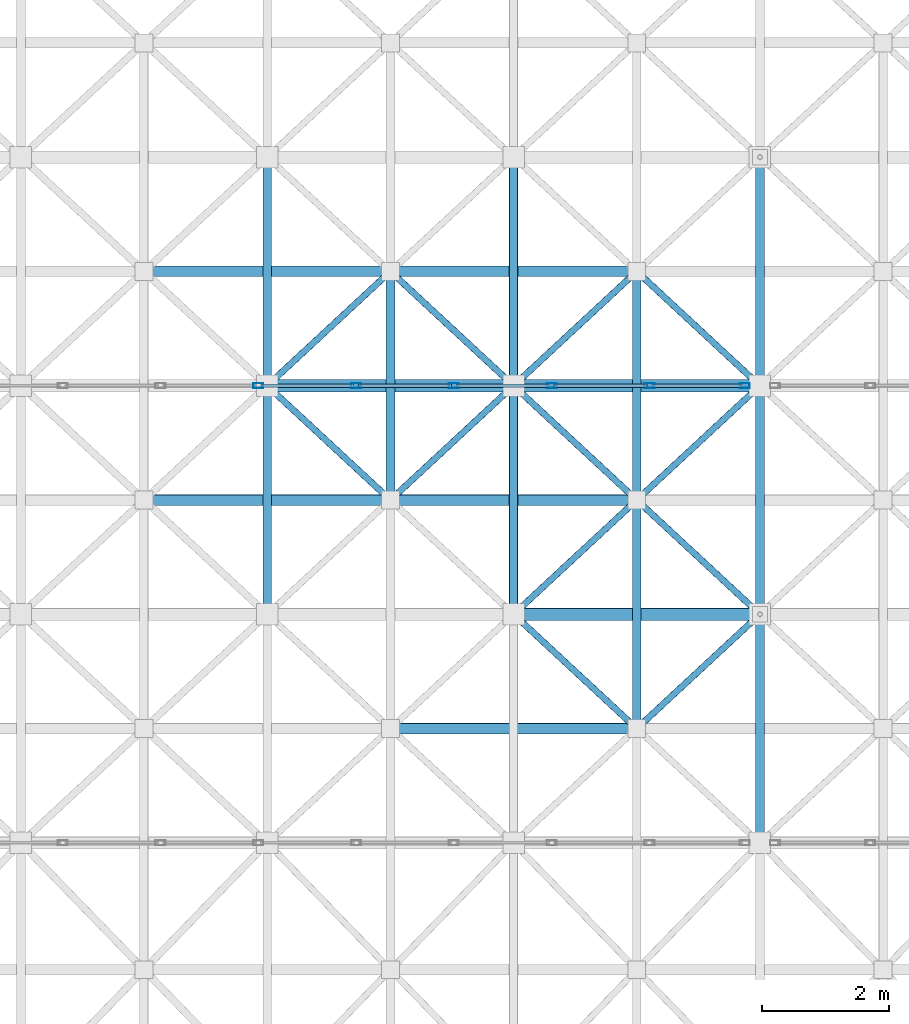
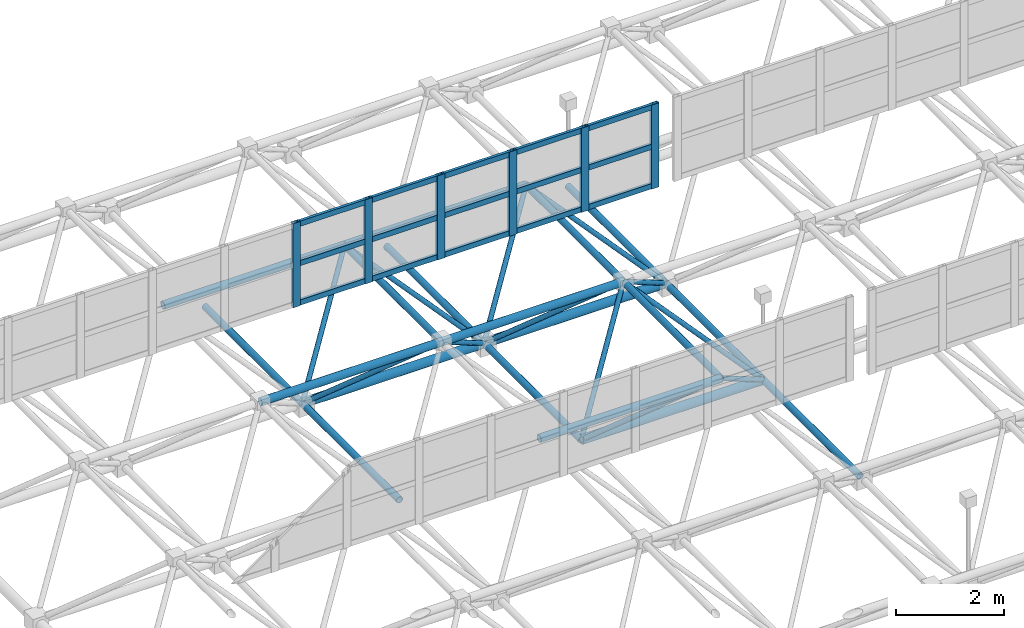
# One storey, part 93 of 195: 51 members, 1 element without a shape of its own.
"""IFC4 building model written with IfcOpenShell, lengths in metres."""

from ifc_helpers import new_model, si_unit, direction, frame, origin, origin_2d, place, context, subcontext, project, spatial, hollow_rectangle, hollow_circle, extrude, material, material_profile, profile_set, type_object, element, aggregate, save


model = new_model("IFC4")

# Units and contexts
model_context = context("Model", 3, precision=1e-05, world=origin(), true_north=direction((0.0, 1.0)))
body_context = subcontext(model_context, "Body", "Model", "MODEL_VIEW")
ifc_project = project(units=[si_unit("LENGTHUNIT", "METRE"), si_unit("AREAUNIT", "SQUARE_METRE"), si_unit("VOLUMEUNIT", "CUBIC_METRE"), si_unit("PLANEANGLEUNIT", "RADIAN"), si_unit("MASSUNIT", "GRAM", prefix="KILO")], contexts=[model_context])

# Site, building, storey
site_placement = place(None, origin())
site = spatial("IfcSite", under=ifc_project, at=site_placement, CompositionType="ELEMENT")
building_placement = place(site_placement, origin())
building = spatial("IfcBuilding", under=site, at=building_placement, Name="Kharva Crest Polytechnic", CompositionType="ELEMENT")
storey_placement = place(building_placement, frame((0.0, 0.0, 9.0)))
storey = spatial("IfcBuildingStorey", under=building, at=storey_placement, Name="L02", CompositionType="ELEMENT", Elevation=9.0)

# Curtain wall, members
ifc_material_1 = material(Name="Tempered insulated glass", Category="glass")
curtain_wall_type = type_object("IfcCurtainWallType", Name="CW-SYS-NORTHLIGHT", PredefinedType="USERDEFINED", material=ifc_material_1)
curtain_wall_placement = place(storey_placement, origin())
curtain_wall = element("IfcCurtainWall", 1, at=curtain_wall_placement, inside=storey, type_object=curtain_wall_type, Name="L02 Glazed Curtain Wall CW-199", ObjectType="CURTAIN WALL", PredefinedType="USERDEFINED")
ifc_material_2 = material(Name="Steel S355", Category="steel")
ifc_material_profile_1 = material_profile(ifc_material_2, hollow_rectangle(XDim=0.080078125, YDim=0.159912109375, WallThickness=0.0048828125, at=origin_2d()), Name="RHS 160X80X5.0")
ifc_profile_set_1 = profile_set([ifc_material_profile_1], Name="Steel S355")
member_type_1 = type_object("IfcMemberType", Name="CWM-RHS160X80", PredefinedType="MULLION", material=ifc_profile_set_1)
member_1_placement = place(storey_placement, frame((8.10009765625, 86.0, 2.85009765625), z_axis=(0.0, 0.0, 1.0), x_axis=(0.0, 1.0, 0.0)))
member_1 = element("IfcMember", 2, at=member_1_placement, type_object=member_type_1, Name="CW-199 mullion 6", PredefinedType="MULLION", context=body_context, shape_type="SweptSolid", body=[
    extrude(hollow_rectangle(XDim=0.080078125, YDim=0.159912109375, WallThickness=0.0048828125, at=origin_2d()), origin(), (0.0, 0.0, 1.0), 1.89990234375),
])
member_2_placement = place(storey_placement, frame((9.639892578125, 86.0, 2.85009765625), z_axis=(0.0, 0.0, 1.0), x_axis=(0.0, 1.0, 0.0)))
member_2 = element("IfcMember", 3, at=member_2_placement, type_object=member_type_1, Name="CW-199 mullion 7", PredefinedType="MULLION", context=body_context, shape_type="SweptSolid", body=[
    extrude(hollow_rectangle(XDim=0.080078125, YDim=0.159912109375, WallThickness=0.0048828125, at=origin_2d()), origin(), (0.0, 0.0, 1.0), 1.89990234375),
])
member_3_placement = place(storey_placement, frame((11.179931640625, 86.0, 2.85009765625), z_axis=(0.0, 0.0, 1.0), x_axis=(0.0, 1.0, 0.0)))
member_3 = element("IfcMember", 4, at=member_3_placement, type_object=member_type_1, Name="CW-199 mullion 8", PredefinedType="MULLION", context=body_context, shape_type="SweptSolid", body=[
    extrude(hollow_rectangle(XDim=0.080078125, YDim=0.159912109375, WallThickness=0.0048828125, at=origin_2d()), origin(), (0.0, 0.0, 1.0), 1.89990234375),
])
member_4_placement = place(storey_placement, frame((12.719970703125, 86.0, 2.85009765625), z_axis=(0.0, 0.0, 1.0), x_axis=(0.0, 1.0, 0.0)))
member_4 = element("IfcMember", 5, at=member_4_placement, type_object=member_type_1, Name="CW-199 mullion 9", PredefinedType="MULLION", context=body_context, shape_type="SweptSolid", body=[
    extrude(hollow_rectangle(XDim=0.080078125, YDim=0.159912109375, WallThickness=0.0048828125, at=origin_2d()), origin(), (0.0, 0.0, 1.0), 1.89990234375),
])
member_5_placement = place(storey_placement, frame((14.260009765625, 86.0, 2.85009765625), z_axis=(0.0, 0.0, 1.0), x_axis=(0.0, 1.0, 0.0)))
member_5 = element("IfcMember", 6, at=member_5_placement, type_object=member_type_1, Name="CW-199 mullion 10", PredefinedType="MULLION", context=body_context, shape_type="SweptSolid", body=[
    extrude(hollow_rectangle(XDim=0.080078125, YDim=0.159912109375, WallThickness=0.0048828125, at=origin_2d()), origin(), (0.0, 0.0, 1.0), 1.89990234375),
])
member_6_placement = place(storey_placement, frame((15.760009765625, 86.0, 2.85009765625), z_axis=(0.0, 0.0, 1.0), x_axis=(0.0, 1.0, 0.0)))
member_6 = element("IfcMember", 7, at=member_6_placement, type_object=member_type_1, Name="CW-199 mullion 11", PredefinedType="MULLION", context=body_context, shape_type="SweptSolid", body=[
    extrude(hollow_rectangle(XDim=0.080078125, YDim=0.159912109375, WallThickness=0.0048828125, at=origin_2d()), origin(), (0.0, 0.0, 1.0), 1.89990234375),
])
ifc_material_profile_2 = material_profile(ifc_material_2, hollow_rectangle(XDim=0.06005859375, YDim=0.1201171875, WallThickness=0.00390625, at=origin_2d()), Name="RHS 120X60X4.0")
ifc_profile_set_2 = profile_set([ifc_material_profile_2], Name="Steel S355")
member_type_2 = type_object("IfcMemberType", Name="CWT-RHS120X60", PredefinedType="USERDEFINED", material=ifc_profile_set_2)
member_7_placement = place(storey_placement, frame((8.139892578125, 86.0, 2.909912109375), z_axis=(1.0, 0.0, 0.0), x_axis=(0.0, 1.0, 0.0)))
member_7 = element("IfcMember", 8, at=member_7_placement, type_object=member_type_2, Name="CW-199 transom 6.1", ObjectType="TRANSOM", PredefinedType="USERDEFINED", context=body_context, shape_type="SweptSolid", body=[
    extrude(hollow_rectangle(XDim=0.06005859375, YDim=0.1201171875, WallThickness=0.00390625, at=origin_2d()), origin(), (0.0, 0.0, 1.0), 1.460205078125),
])
member_8_placement = place(storey_placement, frame((8.139892578125, 86.0, 3.800048828125), z_axis=(1.0, 0.0, 0.0), x_axis=(0.0, 1.0, 0.0)))
member_8 = element("IfcMember", 9, at=member_8_placement, type_object=member_type_2, Name="CW-199 transom 6.2", ObjectType="TRANSOM", PredefinedType="USERDEFINED", context=body_context, shape_type="SweptSolid", body=[
    extrude(hollow_rectangle(XDim=0.06005859375, YDim=0.1201171875, WallThickness=0.00390625, at=origin_2d()), origin(), (0.0, 0.0, 1.0), 1.460205078125),
])
member_9_placement = place(storey_placement, frame((8.139892578125, 86.0, 4.68994140625), z_axis=(1.0, 0.0, 0.0), x_axis=(0.0, 1.0, 0.0)))
member_9 = element("IfcMember", 10, at=member_9_placement, type_object=member_type_2, Name="CW-199 transom 6.3", ObjectType="TRANSOM", PredefinedType="USERDEFINED", context=body_context, shape_type="SweptSolid", body=[
    extrude(hollow_rectangle(XDim=0.06005859375, YDim=0.1201171875, WallThickness=0.00390625, at=origin_2d()), origin(), (0.0, 0.0, 1.0), 1.460205078125),
])
member_10_placement = place(storey_placement, frame((9.679931640625, 86.0, 2.909912109375), z_axis=(1.0, 0.0, 0.0), x_axis=(0.0, 1.0, 0.0)))
member_10 = element("IfcMember", 11, at=member_10_placement, type_object=member_type_2, Name="CW-199 transom 7.1", ObjectType="TRANSOM", PredefinedType="USERDEFINED", context=body_context, shape_type="SweptSolid", body=[
    extrude(hollow_rectangle(XDim=0.06005859375, YDim=0.1201171875, WallThickness=0.00390625, at=origin_2d()), origin(), (0.0, 0.0, 1.0), 1.4599609375),
])
member_11_placement = place(storey_placement, frame((9.679931640625, 86.0, 3.800048828125), z_axis=(1.0, 0.0, 0.0), x_axis=(0.0, 1.0, 0.0)))
member_11 = element("IfcMember", 12, at=member_11_placement, type_object=member_type_2, Name="CW-199 transom 7.2", ObjectType="TRANSOM", PredefinedType="USERDEFINED", context=body_context, shape_type="SweptSolid", body=[
    extrude(hollow_rectangle(XDim=0.06005859375, YDim=0.1201171875, WallThickness=0.00390625, at=origin_2d()), origin(), (0.0, 0.0, 1.0), 1.4599609375),
])
member_12_placement = place(storey_placement, frame((9.679931640625, 86.0, 4.68994140625), z_axis=(1.0, 0.0, 0.0), x_axis=(0.0, 1.0, 0.0)))
member_12 = element("IfcMember", 13, at=member_12_placement, type_object=member_type_2, Name="CW-199 transom 7.3", ObjectType="TRANSOM", PredefinedType="USERDEFINED", context=body_context, shape_type="SweptSolid", body=[
    extrude(hollow_rectangle(XDim=0.06005859375, YDim=0.1201171875, WallThickness=0.00390625, at=origin_2d()), origin(), (0.0, 0.0, 1.0), 1.4599609375),
])
member_13_placement = place(storey_placement, frame((11.219970703125, 86.0, 2.909912109375), z_axis=(1.0, 0.0, 0.0), x_axis=(0.0, 1.0, 0.0)))
member_13 = element("IfcMember", 14, at=member_13_placement, type_object=member_type_2, Name="CW-199 transom 8.1", ObjectType="TRANSOM", PredefinedType="USERDEFINED", context=body_context, shape_type="SweptSolid", body=[
    extrude(hollow_rectangle(XDim=0.06005859375, YDim=0.1201171875, WallThickness=0.00390625, at=origin_2d()), origin(), (0.0, 0.0, 1.0), 1.4599609375),
])
member_14_placement = place(storey_placement, frame((11.219970703125, 86.0, 3.800048828125), z_axis=(1.0, 0.0, 0.0), x_axis=(0.0, 1.0, 0.0)))
member_14 = element("IfcMember", 15, at=member_14_placement, type_object=member_type_2, Name="CW-199 transom 8.2", ObjectType="TRANSOM", PredefinedType="USERDEFINED", context=body_context, shape_type="SweptSolid", body=[
    extrude(hollow_rectangle(XDim=0.06005859375, YDim=0.1201171875, WallThickness=0.00390625, at=origin_2d()), origin(), (0.0, 0.0, 1.0), 1.4599609375),
])
member_15_placement = place(storey_placement, frame((11.219970703125, 86.0, 4.68994140625), z_axis=(1.0, 0.0, 0.0), x_axis=(0.0, 1.0, 0.0)))
member_15 = element("IfcMember", 16, at=member_15_placement, type_object=member_type_2, Name="CW-199 transom 8.3", ObjectType="TRANSOM", PredefinedType="USERDEFINED", context=body_context, shape_type="SweptSolid", body=[
    extrude(hollow_rectangle(XDim=0.06005859375, YDim=0.1201171875, WallThickness=0.00390625, at=origin_2d()), origin(), (0.0, 0.0, 1.0), 1.4599609375),
])
member_16_placement = place(storey_placement, frame((12.760009765625, 86.0, 2.909912109375), z_axis=(1.0, 0.0, 0.0), x_axis=(0.0, 1.0, 0.0)))
member_16 = element("IfcMember", 17, at=member_16_placement, type_object=member_type_2, Name="CW-199 transom 9.1", ObjectType="TRANSOM", PredefinedType="USERDEFINED", context=body_context, shape_type="SweptSolid", body=[
    extrude(hollow_rectangle(XDim=0.06005859375, YDim=0.1201171875, WallThickness=0.00390625, at=origin_2d()), origin(), (0.0, 0.0, 1.0), 1.4599609375),
])
member_17_placement = place(storey_placement, frame((12.760009765625, 86.0, 3.800048828125), z_axis=(1.0, 0.0, 0.0), x_axis=(0.0, 1.0, 0.0)))
member_17 = element("IfcMember", 18, at=member_17_placement, type_object=member_type_2, Name="CW-199 transom 9.2", ObjectType="TRANSOM", PredefinedType="USERDEFINED", context=body_context, shape_type="SweptSolid", body=[
    extrude(hollow_rectangle(XDim=0.06005859375, YDim=0.1201171875, WallThickness=0.00390625, at=origin_2d()), origin(), (0.0, 0.0, 1.0), 1.4599609375),
])
member_18_placement = place(storey_placement, frame((12.760009765625, 86.0, 4.68994140625), z_axis=(1.0, 0.0, 0.0), x_axis=(0.0, 1.0, 0.0)))
member_18 = element("IfcMember", 19, at=member_18_placement, type_object=member_type_2, Name="CW-199 transom 9.3", ObjectType="TRANSOM", PredefinedType="USERDEFINED", context=body_context, shape_type="SweptSolid", body=[
    extrude(hollow_rectangle(XDim=0.06005859375, YDim=0.1201171875, WallThickness=0.00390625, at=origin_2d()), origin(), (0.0, 0.0, 1.0), 1.4599609375),
])
member_19_placement = place(storey_placement, frame((14.300048828125, 86.0, 2.909912109375), z_axis=(1.0, 0.0, 0.0), x_axis=(0.0, 1.0, 0.0)))
member_19 = element("IfcMember", 20, at=member_19_placement, type_object=member_type_2, Name="CW-199 transom 10.1", ObjectType="TRANSOM", PredefinedType="USERDEFINED", context=body_context, shape_type="SweptSolid", body=[
    extrude(hollow_rectangle(XDim=0.06005859375, YDim=0.1201171875, WallThickness=0.00390625, at=origin_2d()), origin(), (0.0, 0.0, 1.0), 1.419921875),
])
member_20_placement = place(storey_placement, frame((14.300048828125, 86.0, 3.800048828125), z_axis=(1.0, 0.0, 0.0), x_axis=(0.0, 1.0, 0.0)))
member_20 = element("IfcMember", 21, at=member_20_placement, type_object=member_type_2, Name="CW-199 transom 10.2", ObjectType="TRANSOM", PredefinedType="USERDEFINED", context=body_context, shape_type="SweptSolid", body=[
    extrude(hollow_rectangle(XDim=0.06005859375, YDim=0.1201171875, WallThickness=0.00390625, at=origin_2d()), origin(), (0.0, 0.0, 1.0), 1.419921875),
])
member_21_placement = place(storey_placement, frame((14.300048828125, 86.0, 4.68994140625), z_axis=(1.0, 0.0, 0.0), x_axis=(0.0, 1.0, 0.0)))
member_21 = element("IfcMember", 22, at=member_21_placement, type_object=member_type_2, Name="CW-199 transom 10.3", ObjectType="TRANSOM", PredefinedType="USERDEFINED", context=body_context, shape_type="SweptSolid", body=[
    extrude(hollow_rectangle(XDim=0.06005859375, YDim=0.1201171875, WallThickness=0.00390625, at=origin_2d()), origin(), (0.0, 0.0, 1.0), 1.419921875),
])
aggregate(curtain_wall, [member_1, member_2, member_3, member_4, member_5, member_6, member_7, member_8, member_9, member_10, member_11, member_12, member_13, member_14, member_15, member_16, member_17, member_18, member_19, member_20, member_21])

# Members
ifc_material_profile_3 = material_profile(ifc_material_2, hollow_circle(Radius=0.05078125, WallThickness=0.0048828125, at=origin_2d()), Name="CHS 101.6X5.0")
ifc_profile_set_3 = profile_set([ifc_material_profile_3], Name="Steel S355")
member_type_3 = type_object("IfcMemberType", Name="MEM-CHS101", PredefinedType="BRACE", material=ifc_profile_set_3)
member_22_placement = place(storey_placement, frame((8.239990234375, 86.0, 0.60009765625), z_axis=(0.606147481159, -0.562437122903, 0.562360839555), x_axis=(0.680182129432, 0.73304315753, 0.0)))
element("IfcMember", 23, at=member_22_placement, inside=storey, type_object=member_type_3, Name="Space Frame Web Diagonal 607", PredefinedType="BRACE", context=body_context, shape_type="SweptSolid", body=[
    extrude(hollow_circle(Radius=0.05078125, WallThickness=0.0048828125, at=origin_2d()), origin(), (0.0, 0.0, 1.0), 3.200439453125),
])
member_23_placement = place(storey_placement, frame((12.1201171875, 86.0, 0.60009765625), z_axis=(-0.606195733531, -0.562411116563, 0.562334836743), x_axis=(0.680136133543, -0.733085833889, 0.0)))
element("IfcMember", 24, at=member_23_placement, inside=storey, type_object=member_type_3, Name="Space Frame Web Diagonal 608", PredefinedType="BRACE", context=body_context, shape_type="SweptSolid", body=[
    extrude(hollow_circle(Radius=0.05078125, WallThickness=0.0048828125, at=origin_2d()), origin(), (0.0, 0.0, 1.0), 3.20068359375),
])
member_24_placement = place(storey_placement, frame((8.239990234375, 86.0, 0.60009765625), z_axis=(0.606147481159, 0.562437122903, 0.562360839555), x_axis=(-0.680182129432, 0.73304315753, 0.0)))
element("IfcMember", 25, at=member_24_placement, inside=storey, type_object=member_type_3, Name="Space Frame Web Diagonal 609", PredefinedType="BRACE", context=body_context, shape_type="SweptSolid", body=[
    extrude(hollow_circle(Radius=0.05078125, WallThickness=0.0048828125, at=origin_2d()), origin(), (0.0, 0.0, 1.0), 3.200439453125),
])
member_25_placement = place(storey_placement, frame((12.1201171875, 86.0, 0.60009765625), z_axis=(-0.606195733531, 0.562411116563, 0.562334836743), x_axis=(-0.680136133543, -0.733085833889, 0.0)))
element("IfcMember", 26, at=member_25_placement, inside=storey, type_object=member_type_3, Name="Space Frame Web Diagonal 610", PredefinedType="BRACE", context=body_context, shape_type="SweptSolid", body=[
    extrude(hollow_circle(Radius=0.05078125, WallThickness=0.0048828125, at=origin_2d()), origin(), (0.0, 0.0, 1.0), 3.20068359375),
])
for number, where, z_axis, x_axis, name in (
    (27, (12.1201171875, 82.39990234375, 0.60009765625), (0.606173487576, -0.562384967331, 0.562384967331), (0.680132552351, 0.7330891564, 0.0), "Space Frame Web Diagonal 659"),
    (28, (16.0, 82.39990234375, 0.60009765625), (-0.606173487576, -0.562384967331, 0.562384967331), (0.680132552351, -0.7330891564, 0.0), "Space Frame Web Diagonal 660"),
):
    element("IfcMember", number, at=place(storey_placement, frame(where, z_axis=z_axis, x_axis=x_axis)), inside=storey, type_object=member_type_3, Name=name, PredefinedType="BRACE", context=body_context, shape_type="SweptSolid", body=[
        extrude(hollow_circle(Radius=0.05078125, WallThickness=0.0048828125, at=origin_2d()), origin(), (0.0, 0.0, 1.0), 3.2001953125),
    ])
for number, where, z_axis, x_axis, name in (
    (29, (12.1201171875, 82.39990234375, 0.60009765625), (0.606147481159, 0.562437122903, 0.562360839555), (-0.680182129432, 0.73304315753, 0.0), "Space Frame Web Diagonal 661"),
    (30, (16.0, 82.39990234375, 0.60009765625), (-0.606147481159, 0.562437122903, 0.562360839555), (-0.680182129432, -0.73304315753, 0.0), "Space Frame Web Diagonal 662"),
    (31, (12.1201171875, 86.0, 0.60009765625), (0.606147481159, -0.562437122903, 0.562360839555), (0.680182129432, 0.73304315753, 0.0), "Space Frame Web Diagonal 663"),
    (32, (16.0, 86.0, 0.60009765625), (-0.606147481159, -0.562437122903, 0.562360839555), (0.680182129432, -0.73304315753, 0.0), "Space Frame Web Diagonal 664"),
    (33, (12.1201171875, 86.0, 0.60009765625), (0.606147481159, 0.562437122903, 0.562360839555), (-0.680182129432, 0.73304315753, 0.0), "Space Frame Web Diagonal 665"),
    (34, (16.0, 86.0, 0.60009765625), (-0.606147481159, 0.562437122903, 0.562360839555), (-0.680182129432, -0.73304315753, 0.0), "Space Frame Web Diagonal 666"),
):
    element("IfcMember", number, at=place(storey_placement, frame(where, z_axis=z_axis, x_axis=x_axis)), inside=storey, type_object=member_type_3, Name=name, PredefinedType="BRACE", context=body_context, shape_type="SweptSolid", body=[
        extrude(hollow_circle(Radius=0.05078125, WallThickness=0.0048828125, at=origin_2d()), origin(), (0.0, 0.0, 1.0), 3.200439453125),
    ])
ifc_material_profile_4 = material_profile(ifc_material_2, hollow_circle(Radius=0.06982421875, WallThickness=0.00634765625, at=origin_2d()), Name="CHS 139.7X6.3")
ifc_profile_set_4 = profile_set([ifc_material_profile_4], Name="Steel S355")
member_type_4 = type_object("IfcMemberType", Name="MEM-CHS139", PredefinedType="CHORD", material=ifc_profile_set_4)
for number, where, z_axis, x_axis, name in (
    (35, (8.239990234375, 82.39990234375, 0.60009765625), (0.0, 1.0, 0.0), (-1.0, 0.0, 0.0), "Space Frame Bottom Chord Y 160"),
    (36, (8.239990234375, 86.0, 0.60009765625), (0.0, 1.0, 0.0), (-1.0, 0.0, 0.0), "Space Frame Bottom Chord Y 161"),
    (37, (12.1201171875, 82.39990234375, 0.60009765625), (0.0, 1.0, 0.0), (-1.0, 0.0, 0.0), "Space Frame Bottom Chord Y 174"),
    (38, (12.1201171875, 86.0, 0.60009765625), (0.0, 1.0, 0.0), (-1.0, 0.0, 0.0), "Space Frame Bottom Chord Y 175"),
):
    element("IfcMember", number, at=place(storey_placement, frame(where, z_axis=z_axis, x_axis=x_axis)), inside=storey, type_object=member_type_4, Name=name, PredefinedType="CHORD", context=body_context, shape_type="SweptSolid", body=[
        extrude(hollow_circle(Radius=0.06982421875, WallThickness=0.00634765625, at=origin_2d()), origin(), (0.0, 0.0, 1.0), 3.60009765625),
    ])
member_26_placement = place(storey_placement, frame((16.0, 78.800048828125, 0.60009765625), z_axis=(0.0, 1.0, 0.0), x_axis=(-1.0, 0.0, 0.0)))
element("IfcMember", 39, at=member_26_placement, inside=storey, type_object=member_type_4, Name="Space Frame Bottom Chord Y 187", PredefinedType="CHORD", context=body_context, shape_type="SweptSolid", body=[
    extrude(hollow_circle(Radius=0.06982421875, WallThickness=0.00634765625, at=origin_2d()), origin(), (0.0, 0.0, 1.0), 3.599853515625),
])
for number, where, z_axis, x_axis, name in (
    (40, (16.0, 82.39990234375, 0.60009765625), (0.0, 1.0, 0.0), (-1.0, 0.0, 0.0), "Space Frame Bottom Chord Y 188"),
    (41, (16.0, 86.0, 0.60009765625), (0.0, 1.0, 0.0), (-1.0, 0.0, 0.0), "Space Frame Bottom Chord Y 189"),
    (42, (10.179931640625, 84.199951171875, 2.39990234375), (0.0, 1.0, 0.0), (-1.0, 0.0, 0.0), "Space Frame Top Chord Y 382"),
):
    element("IfcMember", number, at=place(storey_placement, frame(where, z_axis=z_axis, x_axis=x_axis)), inside=storey, type_object=member_type_4, Name=name, PredefinedType="CHORD", context=body_context, shape_type="SweptSolid", body=[
        extrude(hollow_circle(Radius=0.06982421875, WallThickness=0.00634765625, at=origin_2d()), origin(), (0.0, 0.0, 1.0), 3.60009765625),
    ])
member_27_placement = place(storey_placement, frame((14.06005859375, 80.60009765625, 2.39990234375), z_axis=(0.0, 1.0, 0.0), x_axis=(-1.0, 0.0, 0.0)))
element("IfcMember", 43, at=member_27_placement, inside=storey, type_object=member_type_4, Name="Space Frame Top Chord Y 394", PredefinedType="CHORD", context=body_context, shape_type="SweptSolid", body=[
    extrude(hollow_circle(Radius=0.06982421875, WallThickness=0.00634765625, at=origin_2d()), origin(), (0.0, 0.0, 1.0), 3.599853515625),
])
member_28_placement = place(storey_placement, frame((14.06005859375, 84.199951171875, 2.39990234375), z_axis=(0.0, 1.0, 0.0), x_axis=(-1.0, 0.0, 0.0)))
element("IfcMember", 44, at=member_28_placement, inside=storey, type_object=member_type_4, Name="Space Frame Top Chord Y 395", PredefinedType="CHORD", context=body_context, shape_type="SweptSolid", body=[
    extrude(hollow_circle(Radius=0.06982421875, WallThickness=0.00634765625, at=origin_2d()), origin(), (0.0, 0.0, 1.0), 3.60009765625),
])
ifc_material_profile_5 = material_profile(ifc_material_2, hollow_circle(Radius=0.084228515625, WallThickness=0.008056640625, at=origin_2d()), Name="CHS 168.3X8.0")
ifc_profile_set_5 = profile_set([ifc_material_profile_5], Name="Steel S355")
member_type_5 = type_object("IfcMemberType", Name="MEM-CHS168", PredefinedType="CHORD", material=ifc_profile_set_5)
member_29_placement = place(storey_placement, frame((10.179931640625, 80.60009765625, 2.39990234375), z_axis=(1.0, 0.0, 0.0), x_axis=(0.0, 1.0, 0.0)))
element("IfcMember", 45, at=member_29_placement, inside=storey, type_object=member_type_5, Name="Space Frame Top Chord X 319", PredefinedType="CHORD", context=body_context, shape_type="SweptSolid", body=[
    extrude(hollow_circle(Radius=0.084228515625, WallThickness=0.008056640625, at=origin_2d()), origin(), (0.0, 0.0, 1.0), 3.880126953125),
])
member_30_placement = place(storey_placement, frame((6.300048828125, 84.199951171875, 2.39990234375), z_axis=(1.0, 0.0, 0.0), x_axis=(0.0, 1.0, 0.0)))
element("IfcMember", 46, at=member_30_placement, inside=storey, type_object=member_type_5, Name="Space Frame Top Chord X 325", PredefinedType="CHORD", context=body_context, shape_type="SweptSolid", body=[
    extrude(hollow_circle(Radius=0.084228515625, WallThickness=0.008056640625, at=origin_2d()), origin(), (0.0, 0.0, 1.0), 3.8798828125),
])
member_31_placement = place(storey_placement, frame((10.179931640625, 84.199951171875, 2.39990234375), z_axis=(1.0, 0.0, 0.0), x_axis=(0.0, 1.0, 0.0)))
element("IfcMember", 47, at=member_31_placement, inside=storey, type_object=member_type_5, Name="Space Frame Top Chord X 326", PredefinedType="CHORD", context=body_context, shape_type="SweptSolid", body=[
    extrude(hollow_circle(Radius=0.084228515625, WallThickness=0.008056640625, at=origin_2d()), origin(), (0.0, 0.0, 1.0), 3.880126953125),
])
member_32_placement = place(storey_placement, frame((6.300048828125, 87.800048828125, 2.39990234375), z_axis=(1.0, 0.0, 0.0), x_axis=(0.0, 1.0, 0.0)))
element("IfcMember", 48, at=member_32_placement, inside=storey, type_object=member_type_5, Name="Space Frame Top Chord X 332", PredefinedType="CHORD", context=body_context, shape_type="SweptSolid", body=[
    extrude(hollow_circle(Radius=0.084228515625, WallThickness=0.008056640625, at=origin_2d()), origin(), (0.0, 0.0, 1.0), 3.8798828125),
])
member_33_placement = place(storey_placement, frame((10.179931640625, 87.800048828125, 2.39990234375), z_axis=(1.0, 0.0, 0.0), x_axis=(0.0, 1.0, 0.0)))
element("IfcMember", 49, at=member_33_placement, inside=storey, type_object=member_type_5, Name="Space Frame Top Chord X 333", PredefinedType="CHORD", context=body_context, shape_type="SweptSolid", body=[
    extrude(hollow_circle(Radius=0.084228515625, WallThickness=0.008056640625, at=origin_2d()), origin(), (0.0, 0.0, 1.0), 3.880126953125),
])
ifc_material_profile_6 = material_profile(ifc_material_2, hollow_circle(Radius=0.096923828125, WallThickness=0.008056640625, at=origin_2d()), Name="CHS 193.7X8.0")
ifc_profile_set_6 = profile_set([ifc_material_profile_6], Name="Steel S355")
member_type_6 = type_object("IfcMemberType", Name="MEM-CHS193", PredefinedType="CHORD", material=ifc_profile_set_6)
member_34_placement = place(storey_placement, frame((12.1201171875, 82.39990234375, 0.60009765625), z_axis=(1.0, 0.0, 0.0), x_axis=(0.0, 1.0, 0.0)))
element("IfcMember", 50, at=member_34_placement, inside=storey, type_object=member_type_6, Name="Space Frame Bottom Chord X 92", PredefinedType="CHORD", context=body_context, shape_type="SweptSolid", body=[
    extrude(hollow_circle(Radius=0.096923828125, WallThickness=0.008056640625, at=origin_2d()), origin(), (0.0, 0.0, 1.0), 3.8798828125),
])
member_35_placement = place(storey_placement, frame((8.239990234375, 86.0, 0.60009765625), z_axis=(1.0, 0.0, 0.0), x_axis=(0.0, 1.0, 0.0)))
element("IfcMember", 51, at=member_35_placement, inside=storey, type_object=member_type_6, Name="Space Frame Bottom Chord X 99", PredefinedType="CHORD", context=body_context, shape_type="SweptSolid", body=[
    extrude(hollow_circle(Radius=0.096923828125, WallThickness=0.008056640625, at=origin_2d()), origin(), (0.0, 0.0, 1.0), 3.880126953125),
])
member_36_placement = place(storey_placement, frame((12.1201171875, 86.0, 0.60009765625), z_axis=(1.0, 0.0, 0.0), x_axis=(0.0, 1.0, 0.0)))
element("IfcMember", 52, at=member_36_placement, inside=storey, type_object=member_type_6, Name="Space Frame Bottom Chord X 100", PredefinedType="CHORD", context=body_context, shape_type="SweptSolid", body=[
    extrude(hollow_circle(Radius=0.096923828125, WallThickness=0.008056640625, at=origin_2d()), origin(), (0.0, 0.0, 1.0), 3.8798828125),
])

save(model, "model.ifc")
